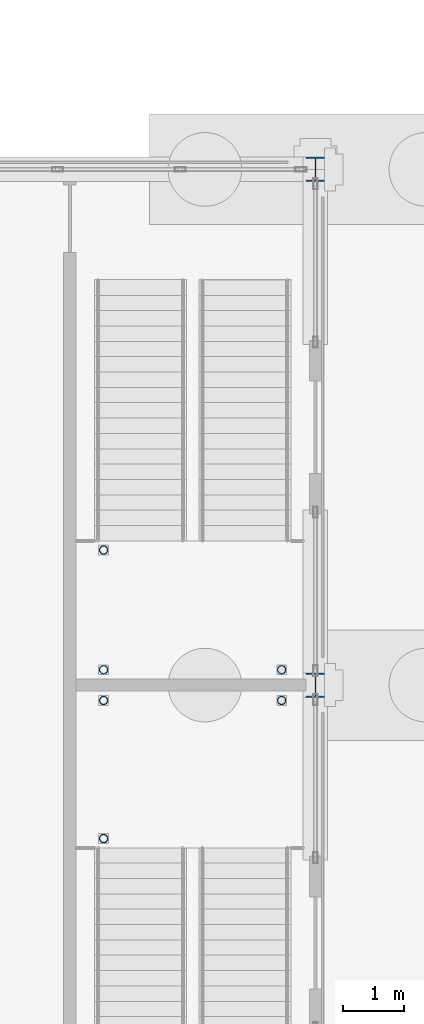
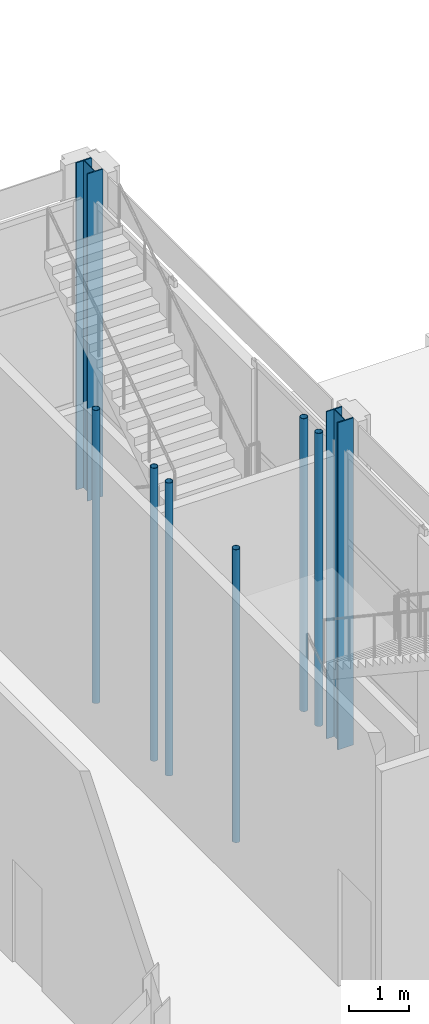
# One storey, part 34 of 212: 8 columns.
"""IFC4 building model written with IfcOpenShell, lengths in metres."""

from ifc_helpers import new_model, si_unit, direction, frame, origin, origin_2d, place, context, subcontext, project, spatial, hollow_circle, i_section, extrude, material, material_profile, profile_set, type_object, element, save


model = new_model("IFC4")

# Units and contexts
model_context = context("Model", 3, precision=1e-05, world=origin(), true_north=direction((0.0, 1.0)))
body_context = subcontext(model_context, "Body", "Model", "MODEL_VIEW")
ifc_project = project(units=[si_unit("LENGTHUNIT", "METRE"), si_unit("AREAUNIT", "SQUARE_METRE"), si_unit("VOLUMEUNIT", "CUBIC_METRE"), si_unit("PLANEANGLEUNIT", "RADIAN"), si_unit("MASSUNIT", "GRAM", prefix="KILO")], contexts=[model_context])

# Site, building, storey
site_placement = place(None, origin())
site = spatial("IfcSite", under=ifc_project, at=site_placement, CompositionType="ELEMENT")
building_placement = place(site_placement, origin())
building = spatial("IfcBuilding", under=site, at=building_placement, Name="Catenary Quay Ferry Terminal", CompositionType="ELEMENT")
storey_placement = place(building_placement, origin())
storey = spatial("IfcBuildingStorey", under=building, at=storey_placement, Name="L00", CompositionType="ELEMENT", Elevation=0.0)

# Columns
ifc_material_1 = material(Name="Steel S355", Category="steel")
ifc_material_profile_1 = material_profile(ifc_material_1, i_section(OverallWidth=0.300048828125, OverallDepth=0.39990234375, WebThickness=0.013427734375, FlangeThickness=0.02392578125, at=origin_2d()), Name="HEB 400")
ifc_profile_set_1 = profile_set([ifc_material_profile_1], Name="Steel S355")
column_type_1 = type_object("IfcColumnType", Name="C2 HEB 400", PredefinedType="COLUMN", material=ifc_profile_set_1)
for number, where, z_axis, x_axis, name in (
    (1, (67.199951171875, 201.60009765625, -0.699951171875), (0.0, 0.0, 1.0), (1.0, 0.0, 0.0), "Column C-I25 L00"),
    (2, (67.199951171875, 210.0, -0.699951171875), (0.0, 0.0, 1.0), (1.0, 0.0, 0.0), "Column C-I26 L00"),
):
    element("IfcColumn", number, at=place(storey_placement, frame(where, z_axis=z_axis, x_axis=x_axis)), inside=storey, type_object=column_type_1, Name=name, PredefinedType="COLUMN", context=body_context, shape_type="SweptSolid", body=[
        extrude(i_section(OverallWidth=0.300048828125, OverallDepth=0.39990234375, WebThickness=0.013427734375, FlangeThickness=0.02392578125, at=origin_2d()), origin(), (0.0, 0.0, 1.0), 6.699951171875),
    ])
ifc_material_2 = material(Name="Steel S355", Category="steel")
ifc_material_profile_2 = material_profile(ifc_material_2, hollow_circle(Radius=0.06982421875, WallThickness=0.008056640625, at=origin_2d()), Name="CHS 139.7x8")
ifc_profile_set_2 = profile_set([ifc_material_profile_2], Name="Steel S355")
column_type_2 = type_object("IfcColumnType", Name="SP1 CHS 139.7x8", PredefinedType="COLUMN", material=ifc_profile_set_2)
for number, where, z_axis, x_axis, name in (
    (3, (63.75, 201.35009765625, 0.0), (0.0, 0.0, 1.0), (1.0, 0.0, 0.0), "Landing post HS4-L00 1"),
    (4, (66.64990234375, 201.35009765625, 0.0), (0.0, 0.0, 1.0), (1.0, 0.0, 0.0), "Landing post HS4-L00 2"),
    (5, (63.75, 199.10009765625, 0.0), (0.0, 0.0, 1.0), (1.0, 0.0, 0.0), "Landing post HS4-L00 3"),
    (6, (63.75, 201.85009765625, 0.0), (0.0, 0.0, 1.0), (1.0, 0.0, 0.0), "Landing post HS5-L00 1"),
    (7, (66.64990234375, 201.85009765625, 0.0), (0.0, 0.0, 1.0), (1.0, 0.0, 0.0), "Landing post HS5-L00 2"),
    (8, (63.75, 203.800048828125, 0.0), (0.0, 0.0, 1.0), (1.0, 0.0, 0.0), "Landing post HS5-L00 3"),
):
    element("IfcColumn", number, at=place(storey_placement, frame(where, z_axis=z_axis, x_axis=x_axis)), inside=storey, type_object=column_type_2, Name=name, PredefinedType="COLUMN", context=body_context, shape_type="SweptSolid", body=[
        extrude(hollow_circle(Radius=0.06982421875, WallThickness=0.008056640625, at=origin_2d()), origin(), (0.0, 0.0, 1.0), 6.0),
    ])

save(model, "model.ifc")
